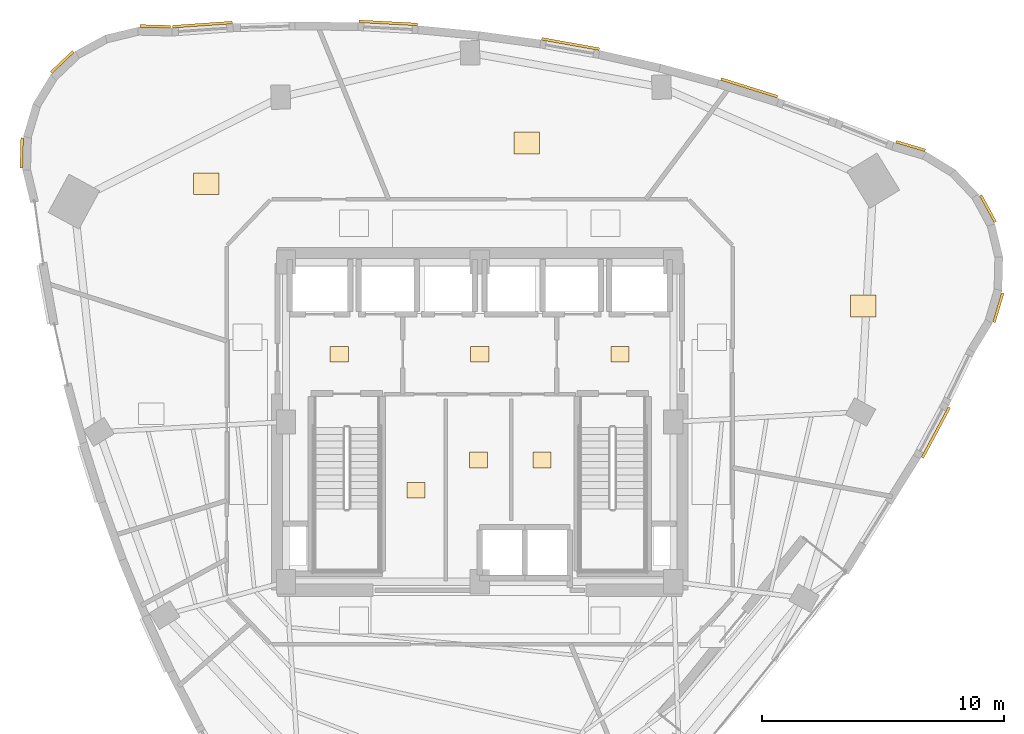
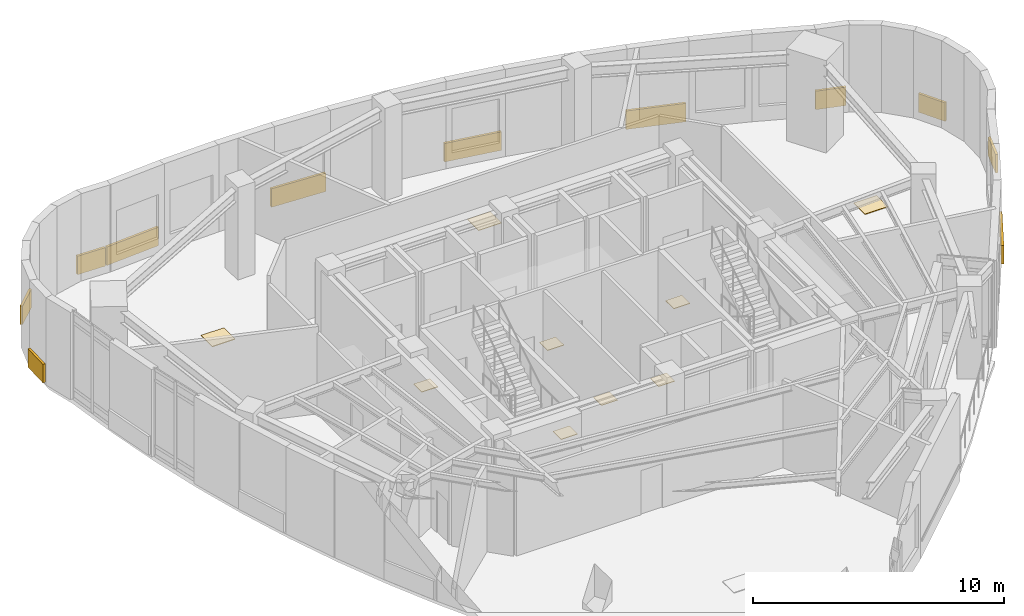
# One storey, part 14 of 14: 20 coverings.
"""IFC4 building model written with IfcOpenShell, lengths in metres."""

from ifc_helpers import new_model, si_unit, direction, frame, origin, origin_2d, place, context, subcontext, project, spatial, rectangle, extrude, material, layer, layer_set, type_object, element, save


model = new_model("IFC4")

# Units and contexts
model_context = context("Model", 3, precision=1e-05, world=origin(), true_north=direction((0.0, 1.0)))
body_context = subcontext(model_context, "Body", "Model", "MODEL_VIEW")
ifc_project = project(units=[si_unit("LENGTHUNIT", "METRE"), si_unit("AREAUNIT", "SQUARE_METRE"), si_unit("VOLUMEUNIT", "CUBIC_METRE"), si_unit("PLANEANGLEUNIT", "RADIAN"), si_unit("MASSUNIT", "GRAM", prefix="KILO")], contexts=[model_context])

# Site, building, storey
site_placement = place(None, origin())
site = spatial("IfcSite", under=ifc_project, at=site_placement, CompositionType="ELEMENT")
building_placement = place(site_placement, origin())
building = spatial("IfcBuilding", under=site, at=building_placement, Name="Ndelora Gate Hotel", CompositionType="ELEMENT")
storey_placement = place(building_placement, frame((0.0, 0.0, 178.25)))
storey = spatial("IfcBuildingStorey", under=building, at=storey_placement, Name="L44", CompositionType="ELEMENT", Elevation=178.25)

# Coverings
ifc_material_1 = material(Name="Terracotta Fired Clay Brick Slip Cladding", Category="masonry")
ifc_layer_1 = layer(ifc_material_1, 0.110107421875)
ifc_layer_set_1 = layer_set([ifc_layer_1], Name="Terracotta Fired Clay Brick Slip Cladding")
covering_type_1 = type_object("IfcCoveringType", Name="COV-CLAD-BRK", PredefinedType="CLADDING", material=ifc_layer_set_1)
covering_1_placement = place(storey_placement, frame((-13.40380859375, 16.340087890625, 0.10009765625), z_axis=(0.0, 0.0, 1.0), x_axis=(-0.999657324976, 0.026176948308, 0.0)))
element("IfcCovering", 1, at=covering_1_placement, inside=storey, type_object=covering_type_1, Name="L44 Rounded-Corner Brick Cladding Band 1", PredefinedType="CLADDING", context=body_context, shape_type="SweptSolid", body=[
    extrude(rectangle(XDim=1.257080078125, YDim=0.110107421875, at=origin_2d()), origin(), (0.0, 0.0, 1.0), 0.89990234375),
])
covering_2_placement = place(storey_placement, frame((-17.24365234375, 14.8662109375, 0.10009765625), z_axis=(0.0, 0.0, 1.0), x_axis=(0.725374371012, 0.688354575694, 0.0)))
element("IfcCovering", 2, at=covering_2_placement, inside=storey, type_object=covering_type_1, Name="L44 Rounded-Corner Brick Cladding Band 4", PredefinedType="CLADDING", context=body_context, shape_type="SweptSolid", body=[
    extrude(rectangle(XDim=1.258056640625, YDim=0.110107421875, at=origin_2d()), origin(), (0.0, 0.0, 1.0), 0.89990234375),
])
covering_3_placement = place(storey_placement, frame((-18.91650390625, 11.108642578125, 0.10009765625), z_axis=(0.0, 0.0, 1.0), x_axis=(0.026176948308, 0.999657324976, 0.0)))
element("IfcCovering", 3, at=covering_3_placement, inside=storey, type_object=covering_type_1, Name="L44 Rounded-Corner Brick Cladding Band 7", PredefinedType="CLADDING", context=body_context, shape_type="SweptSolid", body=[
    extrude(rectangle(XDim=1.257080078125, YDim=0.110107421875, at=origin_2d()), origin(), (0.0, 0.0, 1.0), 0.89990234375),
])
covering_4_placement = place(storey_placement, frame((18.839111328125, -0.4423828125, 0.10009765625), z_axis=(0.0, 0.0, 1.0), x_axis=(0.472089250705, 0.881550758248, 0.0)))
element("IfcCovering", 4, at=covering_4_placement, inside=storey, type_object=covering_type_1, Name="L44 Rounded-Corner Brick Cladding Band 37", PredefinedType="CLADDING", context=body_context, shape_type="SweptSolid", body=[
    extrude(rectangle(XDim=2.35888671875, YDim=0.110107421875, at=origin_2d()), origin(), (0.0, 0.0, 1.0), 0.89990234375),
])
covering_5_placement = place(storey_placement, frame((21.42333984375, 4.719482421875, 0.10009765625), z_axis=(0.0, 0.0, 1.0), x_axis=(0.284015344704, 0.958819734868, 0.0)))
element("IfcCovering", 5, at=covering_5_placement, inside=storey, type_object=covering_type_1, Name="L44 Rounded-Corner Brick Cladding Band 40", PredefinedType="CLADDING", context=body_context, shape_type="SweptSolid", body=[
    extrude(rectangle(XDim=1.258056640625, YDim=0.110107421875, at=origin_2d()), origin(), (0.0, 0.0, 1.0), 0.89990234375),
])
for number, where, z_axis, x_axis, name in (
    (6, (20.993408203125, 8.81005859375, 0.10009765625), (0.0, 0.0, 1.0), (-0.47715876026, 0.878817112662, 0.0), "L44 Rounded-Corner Brick Cladding Band 43"),
    (7, (17.797119140625, 11.3984375, 0.10009765625), (0.0, 0.0, 1.0), (-0.958819734868, 0.284015344704, 0.0), "L44 Rounded-Corner Brick Cladding Band 46"),
):
    element("IfcCovering", number, at=place(storey_placement, frame(where, z_axis=z_axis, x_axis=x_axis)), inside=storey, type_object=covering_type_1, Name=name, PredefinedType="CLADDING", context=body_context, shape_type="SweptSolid", body=[
        extrude(rectangle(XDim=1.257080078125, YDim=0.110107421875, at=origin_2d()), origin(), (0.0, 0.0, 1.0), 0.89990234375),
    ])
covering_6_placement = place(storey_placement, frame((11.1318359375, 13.799072265625, 0.10009765625), z_axis=(0.0, 0.0, 1.0), x_axis=(-0.954500927457, 0.298207946716, 0.0)))
element("IfcCovering", 8, at=covering_6_placement, inside=storey, type_object=covering_type_1, Name="L44 Rounded-Corner Brick Cladding Band 49", PredefinedType="CLADDING", context=body_context, shape_type="SweptSolid", body=[
    extrude(rectangle(XDim=2.443115234375, YDim=0.110107421875, at=origin_2d()), origin(), (0.0, 0.0, 1.0), 0.89990234375),
])
covering_7_placement = place(storey_placement, frame((3.750732421875, 15.611572265625, 0.10009765625), z_axis=(0.0, 0.0, 1.0), x_axis=(-0.984195607969, 0.17708474032, 0.0)))
element("IfcCovering", 9, at=covering_7_placement, inside=storey, type_object=covering_type_1, Name="L44 Rounded-Corner Brick Cladding Band 52", PredefinedType="CLADDING", context=body_context, shape_type="SweptSolid", body=[
    extrude(rectangle(XDim=2.416015625, YDim=0.110107421875, at=origin_2d()), origin(), (0.0, 0.0, 1.0), 0.89990234375),
])
covering_8_placement = place(storey_placement, frame((-3.77978515625, 16.482666015625, 0.10009765625), z_axis=(0.0, 0.0, 1.0), x_axis=(-0.998620385197, 0.052510249179, 0.0)))
element("IfcCovering", 10, at=covering_8_placement, inside=storey, type_object=covering_type_1, Name="L44 Rounded-Corner Brick Cladding Band 55", PredefinedType="CLADDING", context=body_context, shape_type="SweptSolid", body=[
    extrude(rectangle(XDim=2.428955078125, YDim=0.110107421875, at=origin_2d()), origin(), (0.0, 0.0, 1.0), 0.89990234375),
])
covering_9_placement = place(storey_placement, frame((-11.45849609375, 16.411865234375, 0.10009765625), z_axis=(0.0, 0.0, 1.0), x_axis=(0.997576209867, 0.069582364911, 0.0)))
element("IfcCovering", 11, at=covering_9_placement, inside=storey, type_object=covering_type_1, Name="L44 Rounded-Corner Brick Cladding Band 58", PredefinedType="CLADDING", context=body_context, shape_type="SweptSolid", body=[
    extrude(rectangle(XDim=2.48193359375, YDim=0.110107421875, at=origin_2d()), origin(), (0.0, 0.0, 1.0), 0.89990234375),
])
ifc_material_2 = material(Name="Engineered Highland Oak Parquet", Category="wood")
ifc_layer_2 = layer(ifc_material_2, 0.030029296875)
ifc_layer_set_2 = layer_set([ifc_layer_2], Name="Engineered Highland Oak Parquet")
covering_type_2 = type_object("IfcCoveringType", Name="COV-FLR-PARQ", PredefinedType="FLOORING", material=ifc_layer_set_2)
for number, where, z_axis, x_axis, name in (
    (12, (15.832763671875, 4.79296875, 0.0), (0.0, 0.0, 1.0), (1.0, 0.0, 0.0), "L44 Infinity Sky Tea Salon Oak Parquet Flooring"),
    (13, (1.939453125, 11.521484375, 0.0), (0.0, 0.0, 1.0), (1.0, 0.0, 0.0), "L44 Pilates Movement Studio Oak Parquet Flooring"),
    (14, (-11.2998046875, 9.834228515625, 0.0), (0.0, 0.0, 1.0), (1.0, 0.0, 0.0), "L44 Wellness Juice Bar Oak Parquet Flooring"),
):
    element("IfcCovering", number, at=place(storey_placement, frame(where, z_axis=z_axis, x_axis=x_axis)), inside=storey, type_object=covering_type_2, Name=name, PredefinedType="FLOORING", context=body_context, shape_type="SweptSolid", body=[
        extrude(rectangle(XDim=1.050048828125, YDim=0.89990234375, at=origin_2d()), origin(), (0.0, 0.0, 1.0), 0.030029296875),
    ])
ifc_material_3 = material(Name="Non-Slip Porcelain Wet-Room Tile", Category="ceramic")
ifc_layer_3 = layer(ifc_material_3, 0.02490234375)
ifc_layer_set_3 = layer_set([ifc_layer_3], Name="Non-Slip Porcelain Wet-Room Tile")
covering_type_3 = type_object("IfcCoveringType", Name="COV-FLR-TILE", PredefinedType="FLOORING", material=ifc_layer_set_3)
for number, where, z_axis, x_axis, name in (
    (15, (-5.800048828125, 2.800048828125, 0.0), (0.0, 0.0, 1.0), (1.0, 0.0, 0.0), "L44 Firefighting Lift Lobby West Porcelain Tile Flooring"),
    (16, (5.800048828125, 2.800048828125, 0.0), (0.0, 0.0, 1.0), (1.0, 0.0, 0.0), "L44 Firefighting Lift Lobby East Porcelain Tile Flooring"),
    (17, (0.0, 2.800048828125, 0.0), (0.0, 0.0, 1.0), (1.0, 0.0, 0.0), "L44 Central Passenger Lift Lobby Porcelain Tile Flooring"),
    (18, (-2.625, -2.824951171875, 0.0), (0.0, 0.0, 1.0), (1.0, 0.0, 0.0), "L44 Core Cleaners Store Porcelain Tile Flooring"),
    (19, (-0.050048828125, -1.574951171875, 0.0), (0.0, 0.0, 1.0), (1.0, 0.0, 0.0), "L44 Core Telecoms Equipment Room Porcelain Tile Flooring"),
    (20, (2.574951171875, -1.574951171875, 0.0), (0.0, 0.0, 1.0), (1.0, 0.0, 0.0), "L44 Core Electrical Metering Room Porcelain Tile Flooring"),
):
    element("IfcCovering", number, at=place(storey_placement, frame(where, z_axis=z_axis, x_axis=x_axis)), inside=storey, type_object=covering_type_3, Name=name, PredefinedType="FLOORING", context=body_context, shape_type="SweptSolid", body=[
        extrude(rectangle(XDim=0.75, YDim=0.64990234375, at=origin_2d()), origin(), (0.0, 0.0, 1.0), 0.02490234375),
    ])

save(model, "model.ifc")
